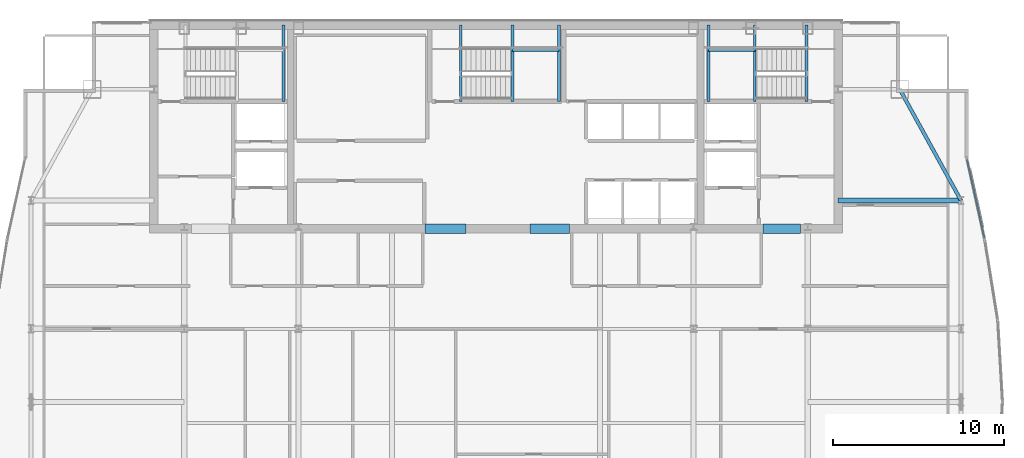
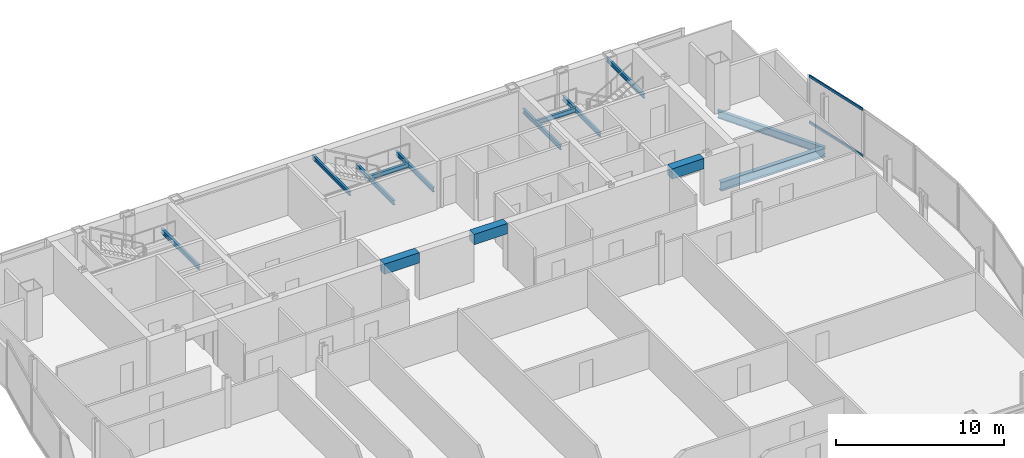
# One storey, part 22 of 30: 14 beams, 2 members, 1 element without a shape of its own.
"""IFC4 building model written with IfcOpenShell, lengths in metres."""

from ifc_helpers import new_model, si_unit, direction, frame, origin, origin_2d, place, context, subcontext, project, spatial, rectangle, hollow_rectangle, i_section, extrude, material, material_profile, profile_set, type_object, element, aggregate, save


model = new_model("IFC4")

# Units and contexts
model_context = context("Model", 3, precision=1e-05, world=origin(), true_north=direction((0.0, 1.0)))
body_context = subcontext(model_context, "Body", "Model", "MODEL_VIEW")
ifc_project = project(units=[si_unit("LENGTHUNIT", "METRE"), si_unit("AREAUNIT", "SQUARE_METRE"), si_unit("VOLUMEUNIT", "CUBIC_METRE"), si_unit("PLANEANGLEUNIT", "RADIAN"), si_unit("MASSUNIT", "GRAM", prefix="KILO")], contexts=[model_context])

# Site, building, storey
site_placement = place(None, origin())
site = spatial("IfcSite", under=ifc_project, at=site_placement, CompositionType="ELEMENT")
building_placement = place(site_placement, origin())
building = spatial("IfcBuilding", under=site, at=building_placement, Name="Khoronbel Lancet Exchange", CompositionType="ELEMENT")
storey_placement = place(building_placement, frame((0.0, 0.0, 269.800048828125)))
storey = spatial("IfcBuildingStorey", under=building, at=storey_placement, Name="L69", CompositionType="ELEMENT", Elevation=269.800048828125)

# Beams
ifc_material_1 = material(Name="Steel S355", Category="steel")
ifc_material_profile_1 = material_profile(ifc_material_1, i_section(OverallWidth=0.300048828125, OverallDepth=0.64990234375, WebThickness=0.01611328125, FlangeThickness=0.031005859375, at=origin_2d()), Name="HEB 650")
ifc_profile_set_1 = profile_set([ifc_material_profile_1], Name="Steel S355")
beam_type_1 = type_object("IfcBeamType", Name="BM-BG4", PredefinedType="BEAM", material=ifc_profile_set_1)
beam_1_placement = place(storey_placement, frame((56.449951171875, 43.199951171875, -0.485107421875), z_axis=(1.0, 0.0, 0.0), x_axis=(0.0, 1.0, 0.0)))
element("IfcBeam", 1, at=beam_1_placement, inside=storey, type_object=beam_type_1, Name="Level L69 east lens tie girder LG3E", PredefinedType="BEAM", context=body_context, shape_type="SweptSolid", body=[
    extrude(i_section(OverallWidth=0.300048828125, OverallDepth=0.64990234375, WebThickness=0.01611328125, FlangeThickness=0.031005859375, at=origin_2d()), origin(), (0.0, 0.0, 1.0), 7.179931640625),
])
ifc_material_profile_2 = material_profile(ifc_material_1, i_section(OverallWidth=0.159912109375, OverallDepth=0.330078125, WebThickness=0.007568359375, FlangeThickness=0.011474609375, at=origin_2d()), Name="IPE 330")
ifc_profile_set_2 = profile_set([ifc_material_profile_2], Name="Steel S355")
beam_type_2 = type_object("IfcBeamType", Name="BM-BJ7", PredefinedType="JOIST", material=ifc_profile_set_2)
for number, where, z_axis, x_axis, name in (
    (2, (24.030029296875, 48.97998046875, 1.43505859375), (0.0, 1.0, 0.0), (-1.0, 0.0, 0.0), "Level L69 stair ST1 rear landing bearer beam 1"),
    (3, (51.580078125, 48.97998046875, 1.43505859375), (0.0, 1.0, 0.0), (-1.0, 0.0, 0.0), "Level L69 stair ST2 landing bearer beam 1"),
    (4, (48.8701171875, 48.97998046875, 1.43505859375), (0.0, 1.0, 0.0), (-1.0, 0.0, 0.0), "Level L69 stair ST2 rear landing bearer beam 1"),
):
    element("IfcBeam", number, at=place(storey_placement, frame(where, z_axis=z_axis, x_axis=x_axis)), inside=storey, type_object=beam_type_2, Name=name, PredefinedType="JOIST", context=body_context, shape_type="SweptSolid", body=[
        extrude(i_section(OverallWidth=0.159912109375, OverallDepth=0.330078125, WebThickness=0.007568359375, FlangeThickness=0.011474609375, at=origin_2d()), origin(), (0.0, 0.0, 1.0), 4.469970703125),
    ])
beam_2_placement = place(storey_placement, frame((48.8701171875, 51.97998046875, 1.43505859375), z_axis=(1.0, 0.0, 0.0), x_axis=(0.0, 1.0, 0.0)))
element("IfcBeam", 5, at=beam_2_placement, inside=storey, type_object=beam_type_2, Name="Level L69 stair ST2 landing cross trimmer beam 1", PredefinedType="JOIST", context=body_context, shape_type="SweptSolid", body=[
    extrude(i_section(OverallWidth=0.159912109375, OverallDepth=0.330078125, WebThickness=0.007568359375, FlangeThickness=0.011474609375, at=origin_2d()), origin(), (0.0, 0.0, 1.0), 2.7099609375),
])
for number, where, z_axis, x_axis, name in (
    (6, (37.419921875, 48.97998046875, 1.43505859375), (0.0, 1.0, 0.0), (-1.0, 0.0, 0.0), "Level L69 stair ST3 landing bearer beam 1"),
    (7, (40.1298828125, 48.97998046875, 1.43505859375), (0.0, 1.0, 0.0), (-1.0, 0.0, 0.0), "Level L69 stair ST3 rear landing bearer beam 1"),
):
    element("IfcBeam", number, at=place(storey_placement, frame(where, z_axis=z_axis, x_axis=x_axis)), inside=storey, type_object=beam_type_2, Name=name, PredefinedType="JOIST", context=body_context, shape_type="SweptSolid", body=[
        extrude(i_section(OverallWidth=0.159912109375, OverallDepth=0.330078125, WebThickness=0.007568359375, FlangeThickness=0.011474609375, at=origin_2d()), origin(), (0.0, 0.0, 1.0), 4.469970703125),
    ])
beam_3_placement = place(storey_placement, frame((37.419921875, 51.97998046875, 1.43505859375), z_axis=(1.0, 0.0, 0.0), x_axis=(0.0, 1.0, 0.0)))
element("IfcBeam", 8, at=beam_3_placement, inside=storey, type_object=beam_type_2, Name="Level L69 stair ST3 landing cross trimmer beam 1", PredefinedType="JOIST", context=body_context, shape_type="SweptSolid", body=[
    extrude(i_section(OverallWidth=0.159912109375, OverallDepth=0.330078125, WebThickness=0.007568359375, FlangeThickness=0.011474609375, at=origin_2d()), origin(), (0.0, 0.0, 1.0), 2.7099609375),
])
ifc_material_profile_3 = material_profile(ifc_material_1, i_section(OverallWidth=0.14990234375, OverallDepth=0.300048828125, WebThickness=0.007080078125, FlangeThickness=0.0107421875, at=origin_2d()), Name="IPE 300")
ifc_profile_set_3 = profile_set([ifc_material_profile_3], Name="Steel S355")
beam_type_3 = type_object("IfcBeamType", Name="BM-BJ8", PredefinedType="JOIST", material=ifc_profile_set_3)
for number, where, z_axis, x_axis, name in (
    (9, (54.60009765625, 48.97998046875, 3.159912109375), (0.0, 1.0, 0.0), (-1.0, 0.0, 0.0), "Level L69 stair ST2 upper-flight arrival trimmer beam"),
    (10, (34.39990234375, 48.97998046875, 3.159912109375), (0.0, 1.0, 0.0), (-1.0, 0.0, 0.0), "Level L69 stair ST3 upper-flight arrival trimmer beam"),
):
    element("IfcBeam", number, at=place(storey_placement, frame(where, z_axis=z_axis, x_axis=x_axis)), inside=storey, type_object=beam_type_3, Name=name, PredefinedType="JOIST", context=body_context, shape_type="SweptSolid", body=[
        extrude(i_section(OverallWidth=0.14990234375, OverallDepth=0.300048828125, WebThickness=0.007080078125, FlangeThickness=0.0107421875, at=origin_2d()), origin(), (0.0, 0.0, 1.0), 4.469970703125),
    ])
ifc_material_2 = material(Name="Concrete C60/75", Category="concrete")
ifc_material_profile_4 = material_profile(ifc_material_2, rectangle(XDim=0.550048828125, YDim=0.75, at=origin_2d()), Name="RC 550x750")
ifc_profile_set_4 = profile_set([ifc_material_profile_4], Name="Concrete C60/75")
beam_type_4 = type_object("IfcBeamType", Name="BM-BL2", PredefinedType="LINTEL", material=ifc_profile_set_4)
beam_4_placement = place(storey_placement, frame((32.300048828125, 41.550048828125, 3.06494140625), z_axis=(1.0, 0.0, 0.0), x_axis=(0.0, 1.0, 0.0)))
element("IfcBeam", 11, at=beam_4_placement, inside=storey, type_object=beam_type_4, Name="Level L69 rear core coupling lintel L2", PredefinedType="LINTEL", context=body_context, shape_type="SweptSolid", body=[
    extrude(rectangle(XDim=0.550048828125, YDim=0.75, at=origin_2d()), origin(), (0.0, 0.0, 1.0), 2.39990234375),
])
beam_5_placement = place(storey_placement, frame((38.449951171875, 41.550048828125, 3.06494140625), z_axis=(1.0, 0.0, 0.0), x_axis=(0.0, 1.0, 0.0)))
element("IfcBeam", 12, at=beam_5_placement, inside=storey, type_object=beam_type_4, Name="Level L69 rear core coupling lintel L3", PredefinedType="LINTEL", context=body_context, shape_type="SweptSolid", body=[
    extrude(rectangle(XDim=0.550048828125, YDim=0.75, at=origin_2d()), origin(), (0.0, 0.0, 1.0), 2.300048828125),
])
beam_6_placement = place(storey_placement, frame((52.050048828125, 41.550048828125, 3.06494140625), z_axis=(1.0, 0.0, 0.0), x_axis=(0.0, 1.0, 0.0)))
element("IfcBeam", 13, at=beam_6_placement, inside=storey, type_object=beam_type_4, Name="Level L69 rear core coupling lintel L4", PredefinedType="LINTEL", context=body_context, shape_type="SweptSolid", body=[
    extrude(rectangle(XDim=0.550048828125, YDim=0.75, at=origin_2d()), origin(), (0.0, 0.0, 1.0), 2.199951171875),
])
ifc_material_profile_5 = material_profile(ifc_material_1, i_section(OverallWidth=0.2099609375, OverallDepth=0.550048828125, WebThickness=0.010986328125, FlangeThickness=0.01708984375, at=origin_2d()), Name="IPE 550")
ifc_profile_set_5 = profile_set([ifc_material_profile_5], Name="Steel S355")
beam_type_5 = type_object("IfcBeamType", Name="BM-BSP3", PredefinedType="SPANDREL", material=ifc_profile_set_5)
beam_7_placement = place(storey_placement, frame((63.6298828125, 43.199951171875, -0.43505859375), z_axis=(-0.482418808117, 0.875940690672, 0.0), x_axis=(-0.875940690672, -0.482418808117, 0.0)))
element("IfcBeam", 14, at=beam_7_placement, inside=storey, type_object=beam_type_5, Name="Level L69 perimeter spandrel beam SP15", PredefinedType="SPANDREL", context=body_context, shape_type="SweptSolid", body=[
    extrude(i_section(OverallWidth=0.2099609375, OverallDepth=0.550048828125, WebThickness=0.010986328125, FlangeThickness=0.01708984375, at=origin_2d()), origin(), (0.0, 0.0, 1.0), 7.420654296875),
])

# Curtain wall, members
ifc_material_3 = material(Name="Low-E Solar Control Insulating Glass", Category="glass")
curtain_wall_type = type_object("IfcCurtainWallType", Name="CW-4", PredefinedType="NOTDEFINED", material=ifc_material_3)
curtain_wall_placement = place(storey_placement, origin())
curtain_wall = element("IfcCurtainWall", 15, at=curtain_wall_placement, inside=storey, type_object=curtain_wall_type, Name="Unitised curtain wall CW-L69-E17", PredefinedType="NOTDEFINED")
ifc_material_4 = material(Name="Bronze-Anodised Aluminium 6063-T6", Category="aluminium")
ifc_material_profile_6 = material_profile(ifc_material_4, hollow_rectangle(XDim=0.0849609375, YDim=0.179931640625, WallThickness=0.0048828125, at=origin_2d()), Name="ALU TRANSOM 85x180")
ifc_profile_set_6 = profile_set([ifc_material_profile_6], Name="Bronze-Anodised Aluminium 6063-T6")
member_type = type_object("IfcMemberType", Name="MEM-CWT1", PredefinedType="USERDEFINED", material=ifc_profile_set_6)
member_1_placement = place(storey_placement, frame((63.97607421875, 45.616943359375, 0.04248046875), z_axis=(0.2152218324, -0.97656518618, 0.0), x_axis=(0.97656518618, 0.2152218324, 0.0)))
member_1 = element("IfcMember", 16, at=member_1_placement, type_object=member_type, Name="CW4 transom 1.1", ObjectType="TRANSOM", PredefinedType="USERDEFINED", context=body_context, shape_type="SweptSolid", body=[
    extrude(hollow_rectangle(XDim=0.0849609375, YDim=0.179931640625, WallThickness=0.0048828125, at=origin_2d()), origin(), (0.0, 0.0, 1.0), 4.72119140625),
])
member_2_placement = place(storey_placement, frame((63.97607421875, 45.616943359375, 3.3974609375), z_axis=(0.2152218324, -0.97656518618, 0.0), x_axis=(0.97656518618, 0.2152218324, 0.0)))
member_2 = element("IfcMember", 17, at=member_2_placement, type_object=member_type, Name="CW4 transom 1.2", ObjectType="TRANSOM", PredefinedType="USERDEFINED", context=body_context, shape_type="SweptSolid", body=[
    extrude(hollow_rectangle(XDim=0.0849609375, YDim=0.179931640625, WallThickness=0.0048828125, at=origin_2d()), origin(), (0.0, 0.0, 1.0), 4.72119140625),
])
aggregate(curtain_wall, [member_1, member_2])

save(model, "model.ifc")
